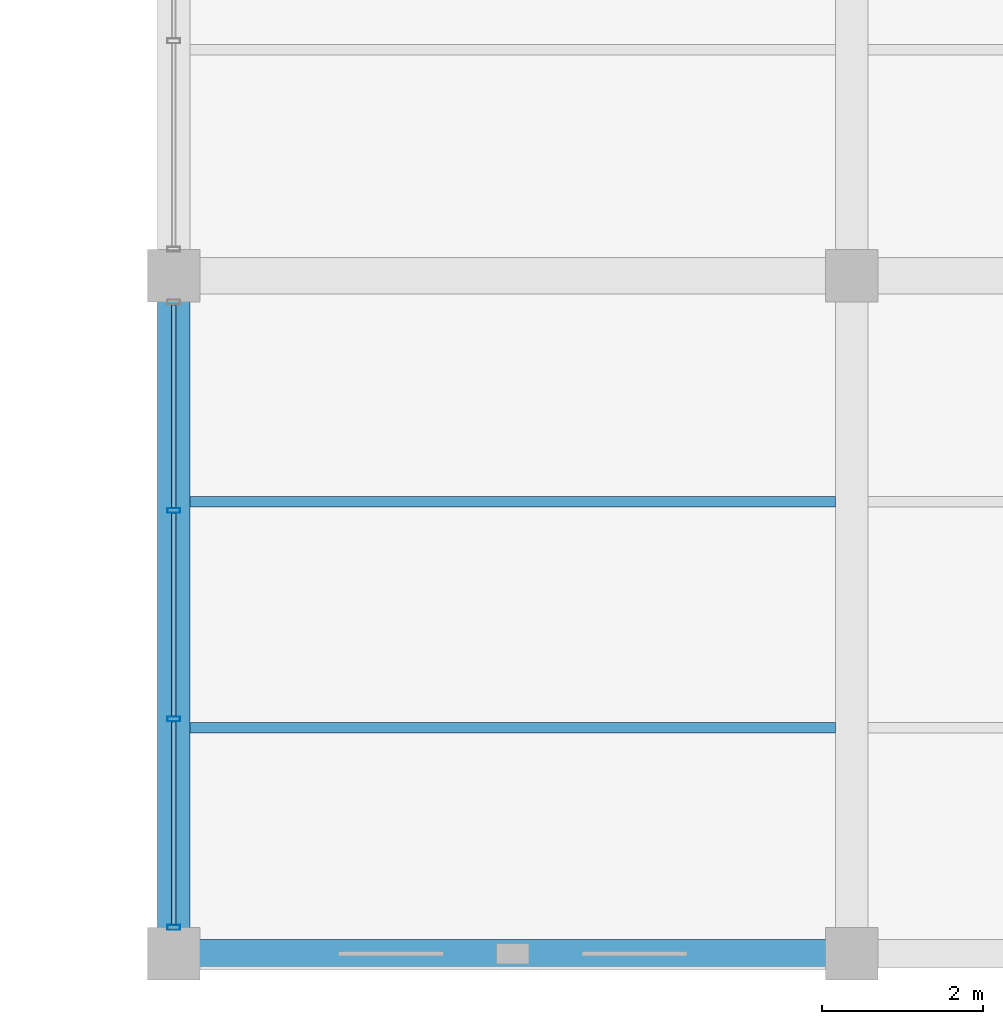
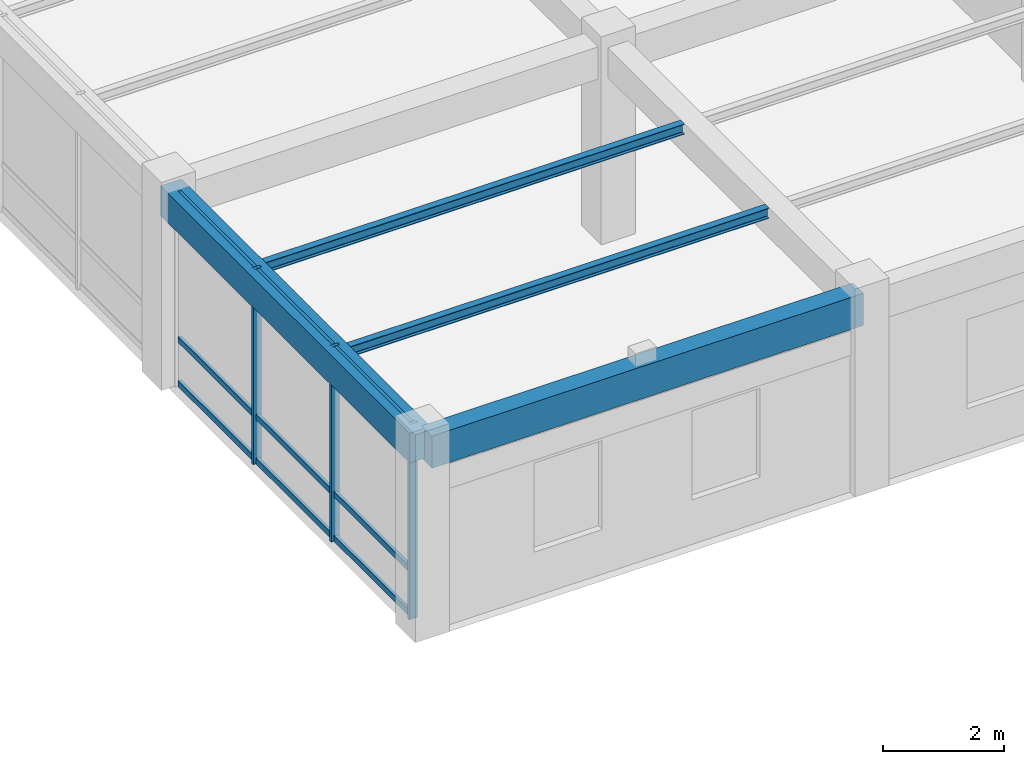
# One storey, part 16 of 138: 12 members, 4 beams, 1 element without a shape of its own.
"""IFC4 building model written with IfcOpenShell, lengths in metres."""

from ifc_helpers import new_model, si_unit, direction, frame, origin, origin_2d, place, context, subcontext, project, spatial, rectangle, hollow_rectangle, i_section, extrude, material, material_profile, profile_set, type_object, element, aggregate, save


model = new_model("IFC4")

# Units and contexts
model_context = context("Model", 3, precision=1e-05, world=origin(), true_north=direction((0.0, 1.0)))
body_context = subcontext(model_context, "Body", "Model", "MODEL_VIEW")
ifc_project = project(units=[si_unit("LENGTHUNIT", "METRE"), si_unit("AREAUNIT", "SQUARE_METRE"), si_unit("VOLUMEUNIT", "CUBIC_METRE"), si_unit("PLANEANGLEUNIT", "RADIAN"), si_unit("MASSUNIT", "GRAM", prefix="KILO"), si_unit("THERMODYNAMICTEMPERATUREUNIT", "KELVIN"), si_unit("POWERUNIT", "WATT")], contexts=[model_context])

# Site, building, storey
site_placement = place(None, origin())
site = spatial("IfcSite", under=ifc_project, at=site_placement, CompositionType="ELEMENT")
building_placement = place(site_placement, origin())
building = spatial("IfcBuilding", under=site, at=building_placement, Name="Darbajah Civic Hall", CompositionType="ELEMENT")
storey_placement = place(building_placement, frame((0.0, 0.0, 9.60009765625)))
storey = spatial("IfcBuildingStorey", under=building, at=storey_placement, Name="L02", CompositionType="ELEMENT", Elevation=9.60009765625)

# Curtain wall, members
ifc_material_1 = material(Name="Anodised Bronze Aluminium and Low-E Glazing", Category="aluminium")
curtain_wall_type = type_object("IfcCurtainWallType", Name="Unitised Curtain Wall CW-99 7700x3950", PredefinedType="USERDEFINED", material=ifc_material_1)
curtain_wall_placement = place(storey_placement, origin())
curtain_wall = element("IfcCurtainWall", 1, at=curtain_wall_placement, inside=storey, type_object=curtain_wall_type, Name="L02 unitised curtain wall CW-V5-L02-S3-B1", ObjectType="UNITISED CURTAIN WALL", PredefinedType="USERDEFINED")
ifc_material_2 = material(Name="Anodised Bronze Aluminium", Category="aluminium")
ifc_material_profile_1 = material_profile(ifc_material_2, hollow_rectangle(XDim=0.06005859375, YDim=0.159912109375, WallThickness=0.00341796875, at=origin_2d()), Name="ALU MULLION 60x160")
ifc_profile_set_1 = profile_set([ifc_material_profile_1], Name="Anodised Bronze Aluminium")
member_type_1 = type_object("IfcMemberType", Name="ALU MULLION 60x160", PredefinedType="MULLION", material=ifc_profile_set_1)
member_1_placement = place(storey_placement, frame((50.39990234375, 5.490966796875, 0.0), z_axis=(0.0, 0.0, 1.0), x_axis=(0.0, -1.0, 0.0)))
member_1 = element("IfcMember", 2, at=member_1_placement, type_object=member_type_1, Name="CW-V5-L02-S3-B1 mullion 2", PredefinedType="MULLION", context=body_context, shape_type="SweptSolid", body=[
    extrude(hollow_rectangle(XDim=0.06005859375, YDim=0.159912109375, WallThickness=0.00341796875, at=origin_2d()), origin(), (0.0, 0.0, 1.0), 3.93994140625),
])
member_2_placement = place(storey_placement, frame((50.39990234375, 2.908935546875, 0.0), z_axis=(0.0, 0.0, 1.0), x_axis=(0.0, -1.0, 0.0)))
member_2 = element("IfcMember", 3, at=member_2_placement, type_object=member_type_1, Name="CW-V5-L02-S3-B1 mullion 3", PredefinedType="MULLION", context=body_context, shape_type="SweptSolid", body=[
    extrude(hollow_rectangle(XDim=0.06005859375, YDim=0.159912109375, WallThickness=0.00341796875, at=origin_2d()), origin(), (0.0, 0.0, 1.0), 3.93994140625),
])
member_3_placement = place(storey_placement, frame((50.39990234375, 0.326904296875, 0.0), z_axis=(0.0, 0.0, 1.0), x_axis=(0.0, -1.0, 0.0)))
member_3 = element("IfcMember", 4, at=member_3_placement, type_object=member_type_1, Name="CW-V5-L02-S3-B1 mullion 4", PredefinedType="MULLION", context=body_context, shape_type="SweptSolid", body=[
    extrude(hollow_rectangle(XDim=0.06005859375, YDim=0.159912109375, WallThickness=0.00341796875, at=origin_2d()), origin(), (0.0, 0.0, 1.0), 3.93994140625),
])
ifc_material_profile_2 = material_profile(ifc_material_2, hollow_rectangle(XDim=0.06005859375, YDim=0.1201171875, WallThickness=0.003173828125, at=origin_2d()), Name="ALU TRANSOM 60x120")
ifc_profile_set_2 = profile_set([ifc_material_profile_2], Name="Anodised Bronze Aluminium")
member_type_2 = type_object("IfcMemberType", Name="ALU TRANSOM 60x120", PredefinedType="USERDEFINED", material=ifc_profile_set_2)
member_4_placement = place(storey_placement, frame((50.39990234375, 8.0380859375, 0.059814453125), z_axis=(0.0, -1.0, 0.0), x_axis=(1.0, 0.0, 0.0)))
member_4 = element("IfcMember", 5, at=member_4_placement, type_object=member_type_2, Name="CW-V5-L02-S3-B1 transom 1.1", ObjectType="TRANSOM", PredefinedType="USERDEFINED", context=body_context, shape_type="SweptSolid", body=[
    extrude(hollow_rectangle(XDim=0.06005859375, YDim=0.1201171875, WallThickness=0.003173828125, at=origin_2d()), origin(), (0.0, 0.0, 1.0), 2.51220703125),
])
member_5_placement = place(storey_placement, frame((50.39990234375, 8.0380859375, 0.949951171875), z_axis=(0.0, -1.0, 0.0), x_axis=(1.0, 0.0, 0.0)))
member_5 = element("IfcMember", 6, at=member_5_placement, type_object=member_type_2, Name="CW-V5-L02-S3-B1 transom 1.2", ObjectType="TRANSOM", PredefinedType="USERDEFINED", context=body_context, shape_type="SweptSolid", body=[
    extrude(hollow_rectangle(XDim=0.06005859375, YDim=0.1201171875, WallThickness=0.003173828125, at=origin_2d()), origin(), (0.0, 0.0, 1.0), 2.51220703125),
])
member_6_placement = place(storey_placement, frame((50.39990234375, 8.0380859375, 3.8798828125), z_axis=(0.0, -1.0, 0.0), x_axis=(1.0, 0.0, 0.0)))
member_6 = element("IfcMember", 7, at=member_6_placement, type_object=member_type_2, Name="CW-V5-L02-S3-B1 transom 1.3", ObjectType="TRANSOM", PredefinedType="USERDEFINED", context=body_context, shape_type="SweptSolid", body=[
    extrude(hollow_rectangle(XDim=0.06005859375, YDim=0.1201171875, WallThickness=0.003173828125, at=origin_2d()), origin(), (0.0, 0.0, 1.0), 2.51220703125),
])
member_7_placement = place(storey_placement, frame((50.39990234375, 5.4560546875, 0.059814453125), z_axis=(0.0, -1.0, 0.0), x_axis=(1.0, 0.0, 0.0)))
member_7 = element("IfcMember", 8, at=member_7_placement, type_object=member_type_2, Name="CW-V5-L02-S3-B1 transom 2.1", ObjectType="TRANSOM", PredefinedType="USERDEFINED", context=body_context, shape_type="SweptSolid", body=[
    extrude(hollow_rectangle(XDim=0.06005859375, YDim=0.1201171875, WallThickness=0.003173828125, at=origin_2d()), origin(), (0.0, 0.0, 1.0), 2.511962890625),
])
member_8_placement = place(storey_placement, frame((50.39990234375, 5.4560546875, 0.949951171875), z_axis=(0.0, -1.0, 0.0), x_axis=(1.0, 0.0, 0.0)))
member_8 = element("IfcMember", 9, at=member_8_placement, type_object=member_type_2, Name="CW-V5-L02-S3-B1 transom 2.2", ObjectType="TRANSOM", PredefinedType="USERDEFINED", context=body_context, shape_type="SweptSolid", body=[
    extrude(hollow_rectangle(XDim=0.06005859375, YDim=0.1201171875, WallThickness=0.003173828125, at=origin_2d()), origin(), (0.0, 0.0, 1.0), 2.511962890625),
])
member_9_placement = place(storey_placement, frame((50.39990234375, 5.4560546875, 3.8798828125), z_axis=(0.0, -1.0, 0.0), x_axis=(1.0, 0.0, 0.0)))
member_9 = element("IfcMember", 10, at=member_9_placement, type_object=member_type_2, Name="CW-V5-L02-S3-B1 transom 2.3", ObjectType="TRANSOM", PredefinedType="USERDEFINED", context=body_context, shape_type="SweptSolid", body=[
    extrude(hollow_rectangle(XDim=0.06005859375, YDim=0.1201171875, WallThickness=0.003173828125, at=origin_2d()), origin(), (0.0, 0.0, 1.0), 2.511962890625),
])
member_10_placement = place(storey_placement, frame((50.39990234375, 2.8740234375, 0.059814453125), z_axis=(0.0, -1.0, 0.0), x_axis=(1.0, 0.0, 0.0)))
member_10 = element("IfcMember", 11, at=member_10_placement, type_object=member_type_2, Name="CW-V5-L02-S3-B1 transom 3.1", ObjectType="TRANSOM", PredefinedType="USERDEFINED", context=body_context, shape_type="SweptSolid", body=[
    extrude(hollow_rectangle(XDim=0.06005859375, YDim=0.1201171875, WallThickness=0.003173828125, at=origin_2d()), origin(), (0.0, 0.0, 1.0), 2.511962890625),
])
member_11_placement = place(storey_placement, frame((50.39990234375, 2.8740234375, 0.949951171875), z_axis=(0.0, -1.0, 0.0), x_axis=(1.0, 0.0, 0.0)))
member_11 = element("IfcMember", 12, at=member_11_placement, type_object=member_type_2, Name="CW-V5-L02-S3-B1 transom 3.2", ObjectType="TRANSOM", PredefinedType="USERDEFINED", context=body_context, shape_type="SweptSolid", body=[
    extrude(hollow_rectangle(XDim=0.06005859375, YDim=0.1201171875, WallThickness=0.003173828125, at=origin_2d()), origin(), (0.0, 0.0, 1.0), 2.511962890625),
])
member_12_placement = place(storey_placement, frame((50.39990234375, 2.8740234375, 3.8798828125), z_axis=(0.0, -1.0, 0.0), x_axis=(1.0, 0.0, 0.0)))
member_12 = element("IfcMember", 13, at=member_12_placement, type_object=member_type_2, Name="CW-V5-L02-S3-B1 transom 3.3", ObjectType="TRANSOM", PredefinedType="USERDEFINED", context=body_context, shape_type="SweptSolid", body=[
    extrude(hollow_rectangle(XDim=0.06005859375, YDim=0.1201171875, WallThickness=0.003173828125, at=origin_2d()), origin(), (0.0, 0.0, 1.0), 2.511962890625),
])
aggregate(curtain_wall, [member_1, member_2, member_3, member_4, member_5, member_6, member_7, member_8, member_9, member_10, member_11, member_12])

# Beams
ifc_material_3 = material(Name="Concrete C45/55", Category="concrete")
ifc_material_profile_3 = material_profile(ifc_material_3, rectangle(XDim=0.39990234375, YDim=0.60009765625, at=origin_2d()), Name="RC BEAM 400x600")
ifc_profile_set_3 = profile_set([ifc_material_profile_3], Name="Concrete C45/55")
beam_type_1 = type_object("IfcBeamType", Name="RC BEAM 400x600", PredefinedType="BEAM", material=ifc_profile_set_3)
beam_1_placement = place(storey_placement, frame((50.39990234375, 0.080078125, 3.639892578125), z_axis=(0.0, 1.0, 0.0), x_axis=(-1.0, 0.0, 0.0)))
element("IfcBeam", 14, at=beam_1_placement, inside=storey, type_object=beam_type_1, Name="L02 beam BM-4060", PredefinedType="BEAM", context=body_context, shape_type="SweptSolid", body=[
    extrude(rectangle(XDim=0.39990234375, YDim=0.60009765625, at=origin_2d()), origin(), (0.0, 0.0, 1.0), 8.239990234375),
])
ifc_material_profile_4 = material_profile(ifc_material_3, rectangle(XDim=0.35009765625, YDim=0.64990234375, at=origin_2d()), Name="RC SPANDREL 350x650")
ifc_profile_set_4 = profile_set([ifc_material_profile_4], Name="Concrete C45/55")
beam_type_2 = type_object("IfcBeamType", Name="RC SPANDREL 350x650", PredefinedType="SPANDREL", material=ifc_profile_set_4)
beam_2_placement = place(storey_placement, frame((50.47998046875, 0.0, 3.614990234375), z_axis=(1.0, 0.0, 0.0), x_axis=(0.0, 1.0, 0.0)))
element("IfcBeam", 15, at=beam_2_placement, inside=storey, type_object=beam_type_2, Name="L02 beam SP-3565", PredefinedType="SPANDREL", context=body_context, shape_type="SweptSolid", body=[
    extrude(rectangle(XDim=0.35009765625, YDim=0.64990234375, at=origin_2d()), origin(), (0.0, 0.0, 1.0), 8.239990234375),
])
ifc_material_4 = material(Name="Steel S355JR", Category="steel")
ifc_material_profile_5 = material_profile(ifc_material_4, i_section(OverallWidth=0.1337890625, OverallDepth=0.206787109375, WebThickness=0.00634765625, FlangeThickness=0.009521484375, FilletRadius=0.007568359375, at=origin_2d()), Name="UB 203x133x30")
ifc_profile_set_5 = profile_set([ifc_material_profile_5], Name="Steel S355JR")
beam_type_3 = type_object("IfcBeamType", Name="UB 203x133x30", PredefinedType="JOIST", material=ifc_profile_set_5)
for number, where, z_axis, x_axis, name in (
    (16, (50.60009765625, 2.800048828125, 3.83642578125), (1.0, 0.0, 0.0), (0.0, 1.0, 0.0), "L02 beam SJ-203"),
    (17, (50.60009765625, 5.60009765625, 3.83642578125), (1.0, 0.0, 0.0), (0.0, 1.0, 0.0), "L02 beam SJ-203"),
):
    element("IfcBeam", number, at=place(storey_placement, frame(where, z_axis=z_axis, x_axis=x_axis)), inside=storey, type_object=beam_type_3, Name=name, PredefinedType="JOIST", context=body_context, shape_type="SweptSolid", body=[
        extrude(i_section(OverallWidth=0.1337890625, OverallDepth=0.206787109375, WebThickness=0.00634765625, FlangeThickness=0.009521484375, FilletRadius=0.007568359375, at=origin_2d()), origin(), (0.0, 0.0, 1.0), 8.0),
    ])

save(model, "model.ifc")
